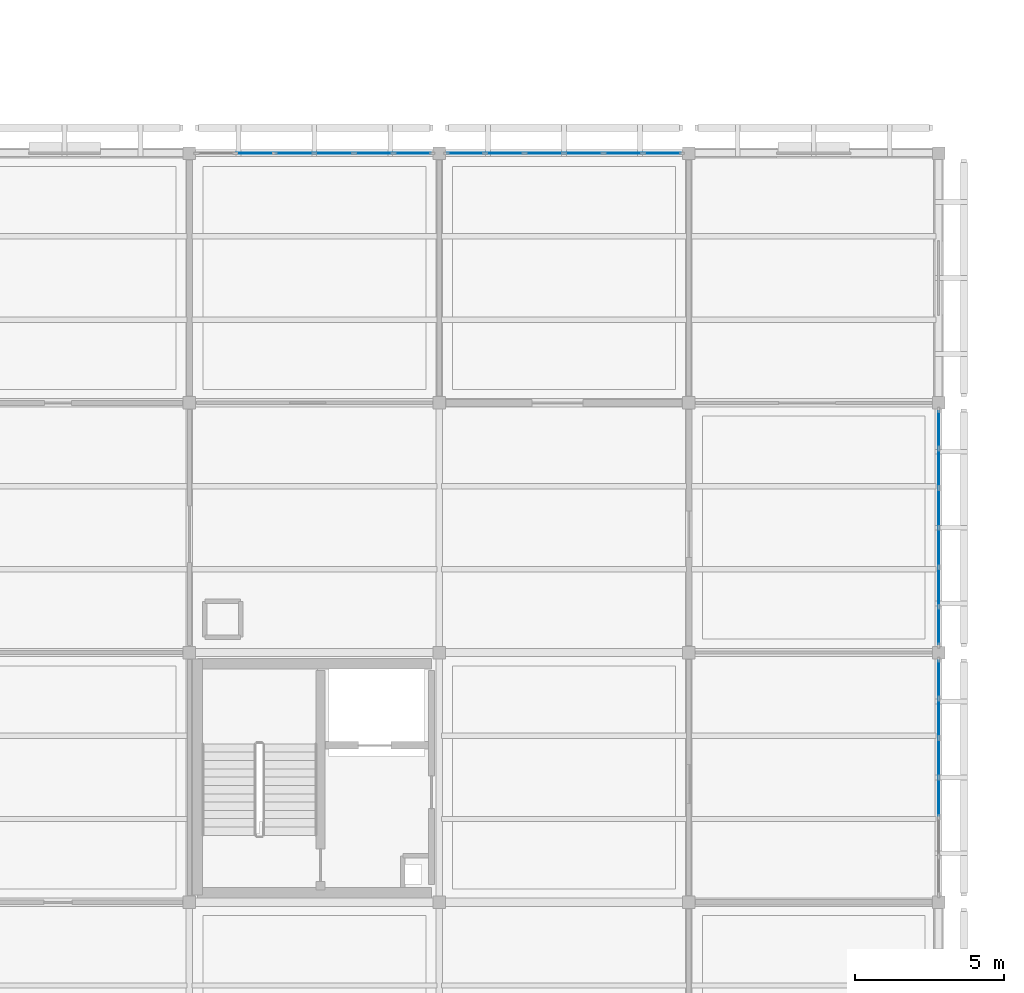
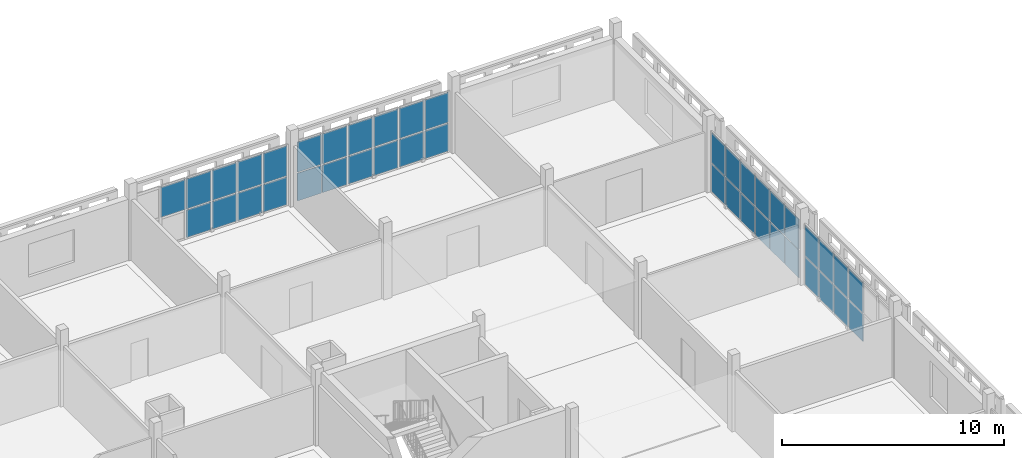
# One storey, part 93 of 166: 41 plates, 4 elements without a shape of their own.
"""IFC4 building model written with IfcOpenShell, lengths in metres."""

from ifc_helpers import new_model, si_unit, direction, frame, origin, origin_2d, place, context, subcontext, project, spatial, rectangle, extrude, material, layer, layer_set, type_object, element, aggregate, save


model = new_model("IFC4")

# Units and contexts
model_context = context("Model", 3, precision=1e-05, world=origin(), true_north=direction((0.0, 1.0)))
body_context = subcontext(model_context, "Body", "Model", "MODEL_VIEW")
ifc_project = project(units=[si_unit("LENGTHUNIT", "METRE"), si_unit("AREAUNIT", "SQUARE_METRE"), si_unit("VOLUMEUNIT", "CUBIC_METRE"), si_unit("PLANEANGLEUNIT", "RADIAN"), si_unit("MASSUNIT", "GRAM", prefix="KILO")], contexts=[model_context])

# Site, building, storey
site_placement = place(None, origin())
site = spatial("IfcSite", under=ifc_project, at=site_placement, CompositionType="ELEMENT")
building_placement = place(site_placement, origin())
building = spatial("IfcBuilding", under=site, at=building_placement, Name="Varnapada Polytechnic", CompositionType="ELEMENT")
storey_placement = place(building_placement, frame((0.0, 0.0, 9.60009765625)))
storey = spatial("IfcBuildingStorey", under=building, at=storey_placement, Name="L02", CompositionType="ELEMENT", Elevation=9.60009765625)

# Curtain wall, plates
ifc_material = material(Name="Double low-E laminated glass", Category="glass")
ifc_layer_1 = layer(ifc_material, 0.179931640625)
ifc_layer_set_1 = layer_set([ifc_layer_1], Name="Double low-E laminated glass")
curtain_wall_type = type_object("IfcCurtainWallType", Name="Curtain Wall CW-04", PredefinedType="NOTDEFINED", material=ifc_layer_set_1)
curtain_wall_1_placement = place(storey_placement, origin())
curtain_wall_1 = element("IfcCurtainWall", 1, at=curtain_wall_1_placement, inside=storey, type_object=curtain_wall_type, Name="L02 unitised curtain wall CW-04 (197)", PredefinedType="NOTDEFINED")
ifc_layer_2 = layer(ifc_material, 0.031982421875)
ifc_layer_set_2 = layer_set([ifc_layer_2], Name="Double low-E laminated glass")
plate_type = type_object("IfcPlateType", Name="Curtain Panel PNL-02", PredefinedType="CURTAIN_PANEL", material=ifc_layer_set_2)
plate_1_placement = place(storey_placement, frame((153.405029296875, 117.60009765625, 1.64501953125), z_axis=(0.0, 0.0, 1.0), x_axis=(1.0, 0.0, 0.0)))
plate_1 = element("IfcPlate", 2, at=plate_1_placement, type_object=plate_type, Name="CW-04 panel 2.2", PredefinedType="CURTAIN_PANEL", context=body_context, shape_type="SweptSolid", body=[
    extrude(rectangle(XDim=1.264892578125, YDim=0.031982421875, at=origin_2d()), origin(), (0.0, 0.0, 1.0), 1.649658203125),
])
plate_2_placement = place(storey_placement, frame((154.735107421875, 117.60009765625, 0.06494140625), z_axis=(0.0, 0.0, 1.0), x_axis=(1.0, 0.0, 0.0)))
plate_2 = element("IfcPlate", 3, at=plate_2_placement, type_object=plate_type, Name="CW-04 panel 3.1", PredefinedType="CURTAIN_PANEL", context=body_context, shape_type="SweptSolid", body=[
    extrude(rectangle(XDim=1.264892578125, YDim=0.031982421875, at=origin_2d()), origin(), (0.0, 0.0, 1.0), 1.515380859375),
])
plate_3_placement = place(storey_placement, frame((154.735107421875, 117.60009765625, 1.64501953125), z_axis=(0.0, 0.0, 1.0), x_axis=(1.0, 0.0, 0.0)))
plate_3 = element("IfcPlate", 4, at=plate_3_placement, type_object=plate_type, Name="CW-04 panel 3.2", PredefinedType="CURTAIN_PANEL", context=body_context, shape_type="SweptSolid", body=[
    extrude(rectangle(XDim=1.264892578125, YDim=0.031982421875, at=origin_2d()), origin(), (0.0, 0.0, 1.0), 1.649658203125),
])
plate_4_placement = place(storey_placement, frame((156.06494140625, 117.60009765625, 0.06494140625), z_axis=(0.0, 0.0, 1.0), x_axis=(1.0, 0.0, 0.0)))
plate_4 = element("IfcPlate", 5, at=plate_4_placement, type_object=plate_type, Name="CW-04 panel 4.1", PredefinedType="CURTAIN_PANEL", context=body_context, shape_type="SweptSolid", body=[
    extrude(rectangle(XDim=1.264892578125, YDim=0.031982421875, at=origin_2d()), origin(), (0.0, 0.0, 1.0), 1.515380859375),
])
plate_5_placement = place(storey_placement, frame((156.06494140625, 117.60009765625, 1.64501953125), z_axis=(0.0, 0.0, 1.0), x_axis=(1.0, 0.0, 0.0)))
plate_5 = element("IfcPlate", 6, at=plate_5_placement, type_object=plate_type, Name="CW-04 panel 4.2", PredefinedType="CURTAIN_PANEL", context=body_context, shape_type="SweptSolid", body=[
    extrude(rectangle(XDim=1.264892578125, YDim=0.031982421875, at=origin_2d()), origin(), (0.0, 0.0, 1.0), 1.649658203125),
])
plate_6_placement = place(storey_placement, frame((157.39501953125, 117.60009765625, 0.06494140625), z_axis=(0.0, 0.0, 1.0), x_axis=(1.0, 0.0, 0.0)))
plate_6 = element("IfcPlate", 7, at=plate_6_placement, type_object=plate_type, Name="CW-04 panel 5.1", PredefinedType="CURTAIN_PANEL", context=body_context, shape_type="SweptSolid", body=[
    extrude(rectangle(XDim=1.264892578125, YDim=0.031982421875, at=origin_2d()), origin(), (0.0, 0.0, 1.0), 1.515380859375),
])
plate_7_placement = place(storey_placement, frame((157.39501953125, 117.60009765625, 1.64501953125), z_axis=(0.0, 0.0, 1.0), x_axis=(1.0, 0.0, 0.0)))
plate_7 = element("IfcPlate", 8, at=plate_7_placement, type_object=plate_type, Name="CW-04 panel 5.2", PredefinedType="CURTAIN_PANEL", context=body_context, shape_type="SweptSolid", body=[
    extrude(rectangle(XDim=1.264892578125, YDim=0.031982421875, at=origin_2d()), origin(), (0.0, 0.0, 1.0), 1.649658203125),
])
plate_8_placement = place(storey_placement, frame((158.708740234375, 117.60009765625, 0.06494140625), z_axis=(0.0, 0.0, 1.0), x_axis=(1.0, 0.0, 0.0)))
plate_8 = element("IfcPlate", 9, at=plate_8_placement, type_object=plate_type, Name="CW-04 panel 6.1", PredefinedType="CURTAIN_PANEL", context=body_context, shape_type="SweptSolid", body=[
    extrude(rectangle(XDim=1.232421875, YDim=0.031982421875, at=origin_2d()), origin(), (0.0, 0.0, 1.0), 1.515380859375),
])
plate_9_placement = place(storey_placement, frame((158.708740234375, 117.60009765625, 1.64501953125), z_axis=(0.0, 0.0, 1.0), x_axis=(1.0, 0.0, 0.0)))
plate_9 = element("IfcPlate", 10, at=plate_9_placement, type_object=plate_type, Name="CW-04 panel 6.2", PredefinedType="CURTAIN_PANEL", context=body_context, shape_type="SweptSolid", body=[
    extrude(rectangle(XDim=1.232421875, YDim=0.031982421875, at=origin_2d()), origin(), (0.0, 0.0, 1.0), 1.649658203125),
])
aggregate(curtain_wall_1, [plate_1, plate_2, plate_3, plate_4, plate_5, plate_6, plate_7, plate_8, plate_9])

curtain_wall_2_placement = place(storey_placement, origin())
curtain_wall_2 = element("IfcCurtainWall", 11, at=curtain_wall_2_placement, inside=storey, type_object=curtain_wall_type, Name="L02 unitised curtain wall CW-04 (200)", PredefinedType="NOTDEFINED")
plate_10_placement = place(storey_placement, frame((160.4912109375, 117.60009765625, 0.06494140625), z_axis=(0.0, 0.0, 1.0), x_axis=(1.0, 0.0, 0.0)))
plate_10 = element("IfcPlate", 12, at=plate_10_placement, type_object=plate_type, Name="CW-04 panel 1.1", PredefinedType="CURTAIN_PANEL", context=body_context, shape_type="SweptSolid", body=[
    extrude(rectangle(XDim=1.232421875, YDim=0.031982421875, at=origin_2d()), origin(), (0.0, 0.0, 1.0), 1.515380859375),
])
plate_11_placement = place(storey_placement, frame((160.4912109375, 117.60009765625, 1.64501953125), z_axis=(0.0, 0.0, 1.0), x_axis=(1.0, 0.0, 0.0)))
plate_11 = element("IfcPlate", 13, at=plate_11_placement, type_object=plate_type, Name="CW-04 panel 1.2", PredefinedType="CURTAIN_PANEL", context=body_context, shape_type="SweptSolid", body=[
    extrude(rectangle(XDim=1.232421875, YDim=0.031982421875, at=origin_2d()), origin(), (0.0, 0.0, 1.0), 1.649658203125),
])
plate_12_placement = place(storey_placement, frame((161.804931640625, 117.60009765625, 0.06494140625), z_axis=(0.0, 0.0, 1.0), x_axis=(1.0, 0.0, 0.0)))
plate_12 = element("IfcPlate", 14, at=plate_12_placement, type_object=plate_type, Name="CW-04 panel 2.1", PredefinedType="CURTAIN_PANEL", context=body_context, shape_type="SweptSolid", body=[
    extrude(rectangle(XDim=1.264892578125, YDim=0.031982421875, at=origin_2d()), origin(), (0.0, 0.0, 1.0), 1.515380859375),
])
plate_13_placement = place(storey_placement, frame((161.804931640625, 117.60009765625, 1.64501953125), z_axis=(0.0, 0.0, 1.0), x_axis=(1.0, 0.0, 0.0)))
plate_13 = element("IfcPlate", 15, at=plate_13_placement, type_object=plate_type, Name="CW-04 panel 2.2", PredefinedType="CURTAIN_PANEL", context=body_context, shape_type="SweptSolid", body=[
    extrude(rectangle(XDim=1.264892578125, YDim=0.031982421875, at=origin_2d()), origin(), (0.0, 0.0, 1.0), 1.649658203125),
])
plate_14_placement = place(storey_placement, frame((163.135009765625, 117.60009765625, 0.06494140625), z_axis=(0.0, 0.0, 1.0), x_axis=(1.0, 0.0, 0.0)))
plate_14 = element("IfcPlate", 16, at=plate_14_placement, type_object=plate_type, Name="CW-04 panel 3.1", PredefinedType="CURTAIN_PANEL", context=body_context, shape_type="SweptSolid", body=[
    extrude(rectangle(XDim=1.264892578125, YDim=0.031982421875, at=origin_2d()), origin(), (0.0, 0.0, 1.0), 1.515380859375),
])
plate_15_placement = place(storey_placement, frame((163.135009765625, 117.60009765625, 1.64501953125), z_axis=(0.0, 0.0, 1.0), x_axis=(1.0, 0.0, 0.0)))
plate_15 = element("IfcPlate", 17, at=plate_15_placement, type_object=plate_type, Name="CW-04 panel 3.2", PredefinedType="CURTAIN_PANEL", context=body_context, shape_type="SweptSolid", body=[
    extrude(rectangle(XDim=1.264892578125, YDim=0.031982421875, at=origin_2d()), origin(), (0.0, 0.0, 1.0), 1.649658203125),
])
plate_16_placement = place(storey_placement, frame((164.465087890625, 117.60009765625, 0.06494140625), z_axis=(0.0, 0.0, 1.0), x_axis=(1.0, 0.0, 0.0)))
plate_16 = element("IfcPlate", 18, at=plate_16_placement, type_object=plate_type, Name="CW-04 panel 4.1", PredefinedType="CURTAIN_PANEL", context=body_context, shape_type="SweptSolid", body=[
    extrude(rectangle(XDim=1.264892578125, YDim=0.031982421875, at=origin_2d()), origin(), (0.0, 0.0, 1.0), 1.515380859375),
])
plate_17_placement = place(storey_placement, frame((164.465087890625, 117.60009765625, 1.64501953125), z_axis=(0.0, 0.0, 1.0), x_axis=(1.0, 0.0, 0.0)))
plate_17 = element("IfcPlate", 19, at=plate_17_placement, type_object=plate_type, Name="CW-04 panel 4.2", PredefinedType="CURTAIN_PANEL", context=body_context, shape_type="SweptSolid", body=[
    extrude(rectangle(XDim=1.264892578125, YDim=0.031982421875, at=origin_2d()), origin(), (0.0, 0.0, 1.0), 1.649658203125),
])
plate_18_placement = place(storey_placement, frame((165.794921875, 117.60009765625, 0.06494140625), z_axis=(0.0, 0.0, 1.0), x_axis=(1.0, 0.0, 0.0)))
plate_18 = element("IfcPlate", 20, at=plate_18_placement, type_object=plate_type, Name="CW-04 panel 5.1", PredefinedType="CURTAIN_PANEL", context=body_context, shape_type="SweptSolid", body=[
    extrude(rectangle(XDim=1.264892578125, YDim=0.031982421875, at=origin_2d()), origin(), (0.0, 0.0, 1.0), 1.515380859375),
])
plate_19_placement = place(storey_placement, frame((165.794921875, 117.60009765625, 1.64501953125), z_axis=(0.0, 0.0, 1.0), x_axis=(1.0, 0.0, 0.0)))
plate_19 = element("IfcPlate", 21, at=plate_19_placement, type_object=plate_type, Name="CW-04 panel 5.2", PredefinedType="CURTAIN_PANEL", context=body_context, shape_type="SweptSolid", body=[
    extrude(rectangle(XDim=1.264892578125, YDim=0.031982421875, at=origin_2d()), origin(), (0.0, 0.0, 1.0), 1.649658203125),
])
plate_20_placement = place(storey_placement, frame((167.108642578125, 117.60009765625, 0.06494140625), z_axis=(0.0, 0.0, 1.0), x_axis=(1.0, 0.0, 0.0)))
plate_20 = element("IfcPlate", 22, at=plate_20_placement, type_object=plate_type, Name="CW-04 panel 6.1", PredefinedType="CURTAIN_PANEL", context=body_context, shape_type="SweptSolid", body=[
    extrude(rectangle(XDim=1.232421875, YDim=0.031982421875, at=origin_2d()), origin(), (0.0, 0.0, 1.0), 1.515380859375),
])
plate_21_placement = place(storey_placement, frame((167.108642578125, 117.60009765625, 1.64501953125), z_axis=(0.0, 0.0, 1.0), x_axis=(1.0, 0.0, 0.0)))
plate_21 = element("IfcPlate", 23, at=plate_21_placement, type_object=plate_type, Name="CW-04 panel 6.2", PredefinedType="CURTAIN_PANEL", context=body_context, shape_type="SweptSolid", body=[
    extrude(rectangle(XDim=1.232421875, YDim=0.031982421875, at=origin_2d()), origin(), (0.0, 0.0, 1.0), 1.649658203125),
])
aggregate(curtain_wall_2, [plate_10, plate_11, plate_12, plate_13, plate_14, plate_15, plate_16, plate_17, plate_18, plate_19, plate_20, plate_21])

curtain_wall_3_placement = place(storey_placement, origin())
curtain_wall_3 = element("IfcCurtainWall", 24, at=curtain_wall_3_placement, inside=storey, type_object=curtain_wall_type, Name="L02 unitised curtain wall CW-04 (203)", PredefinedType="NOTDEFINED")
plate_22_placement = place(storey_placement, frame((176.39990234375, 99.90869140625, 0.06494140625), z_axis=(0.0, 0.0, 1.0), x_axis=(0.0, -1.0, 0.0)))
plate_22 = element("IfcPlate", 25, at=plate_22_placement, type_object=plate_type, Name="CW-04 panel 1.1", PredefinedType="CURTAIN_PANEL", context=body_context, shape_type="SweptSolid", body=[
    extrude(rectangle(XDim=1.232421875, YDim=0.031982421875, at=origin_2d()), origin(), (0.0, 0.0, 1.0), 1.515380859375),
])
plate_23_placement = place(storey_placement, frame((176.39990234375, 99.90869140625, 1.64501953125), z_axis=(0.0, 0.0, 1.0), x_axis=(0.0, -1.0, 0.0)))
plate_23 = element("IfcPlate", 26, at=plate_23_placement, type_object=plate_type, Name="CW-04 panel 1.2", PredefinedType="CURTAIN_PANEL", context=body_context, shape_type="SweptSolid", body=[
    extrude(rectangle(XDim=1.232421875, YDim=0.031982421875, at=origin_2d()), origin(), (0.0, 0.0, 1.0), 1.649658203125),
])
plate_24_placement = place(storey_placement, frame((176.39990234375, 98.594970703125, 0.06494140625), z_axis=(0.0, 0.0, 1.0), x_axis=(0.0, -1.0, 0.0)))
plate_24 = element("IfcPlate", 27, at=plate_24_placement, type_object=plate_type, Name="CW-04 panel 2.1", PredefinedType="CURTAIN_PANEL", context=body_context, shape_type="SweptSolid", body=[
    extrude(rectangle(XDim=1.264892578125, YDim=0.031982421875, at=origin_2d()), origin(), (0.0, 0.0, 1.0), 1.515380859375),
])
plate_25_placement = place(storey_placement, frame((176.39990234375, 98.594970703125, 1.64501953125), z_axis=(0.0, 0.0, 1.0), x_axis=(0.0, -1.0, 0.0)))
plate_25 = element("IfcPlate", 28, at=plate_25_placement, type_object=plate_type, Name="CW-04 panel 2.2", PredefinedType="CURTAIN_PANEL", context=body_context, shape_type="SweptSolid", body=[
    extrude(rectangle(XDim=1.264892578125, YDim=0.031982421875, at=origin_2d()), origin(), (0.0, 0.0, 1.0), 1.649658203125),
])
plate_26_placement = place(storey_placement, frame((176.39990234375, 97.264892578125, 0.06494140625), z_axis=(0.0, 0.0, 1.0), x_axis=(0.0, -1.0, 0.0)))
plate_26 = element("IfcPlate", 29, at=plate_26_placement, type_object=plate_type, Name="CW-04 panel 3.1", PredefinedType="CURTAIN_PANEL", context=body_context, shape_type="SweptSolid", body=[
    extrude(rectangle(XDim=1.264892578125, YDim=0.031982421875, at=origin_2d()), origin(), (0.0, 0.0, 1.0), 1.515380859375),
])
plate_27_placement = place(storey_placement, frame((176.39990234375, 97.264892578125, 1.64501953125), z_axis=(0.0, 0.0, 1.0), x_axis=(0.0, -1.0, 0.0)))
plate_27 = element("IfcPlate", 30, at=plate_27_placement, type_object=plate_type, Name="CW-04 panel 3.2", PredefinedType="CURTAIN_PANEL", context=body_context, shape_type="SweptSolid", body=[
    extrude(rectangle(XDim=1.264892578125, YDim=0.031982421875, at=origin_2d()), origin(), (0.0, 0.0, 1.0), 1.649658203125),
])
plate_28_placement = place(storey_placement, frame((176.39990234375, 95.93505859375, 0.06494140625), z_axis=(0.0, 0.0, 1.0), x_axis=(0.0, -1.0, 0.0)))
plate_28 = element("IfcPlate", 31, at=plate_28_placement, type_object=plate_type, Name="CW-04 panel 4.1", PredefinedType="CURTAIN_PANEL", context=body_context, shape_type="SweptSolid", body=[
    extrude(rectangle(XDim=1.264892578125, YDim=0.031982421875, at=origin_2d()), origin(), (0.0, 0.0, 1.0), 1.515380859375),
])
plate_29_placement = place(storey_placement, frame((176.39990234375, 95.93505859375, 1.64501953125), z_axis=(0.0, 0.0, 1.0), x_axis=(0.0, -1.0, 0.0)))
plate_29 = element("IfcPlate", 32, at=plate_29_placement, type_object=plate_type, Name="CW-04 panel 4.2", PredefinedType="CURTAIN_PANEL", context=body_context, shape_type="SweptSolid", body=[
    extrude(rectangle(XDim=1.264892578125, YDim=0.031982421875, at=origin_2d()), origin(), (0.0, 0.0, 1.0), 1.649658203125),
])
aggregate(curtain_wall_3, [plate_22, plate_23, plate_24, plate_25, plate_26, plate_27, plate_28, plate_29])

curtain_wall_4_placement = place(storey_placement, origin())
curtain_wall_4 = element("IfcCurtainWall", 33, at=curtain_wall_4_placement, inside=storey, type_object=curtain_wall_type, Name="L02 unitised curtain wall CW-04 (204)", PredefinedType="NOTDEFINED")
plate_30_placement = place(storey_placement, frame((176.39990234375, 108.308837890625, 0.06494140625), z_axis=(0.0, 0.0, 1.0), x_axis=(0.0, -1.0, 0.0)))
plate_30 = element("IfcPlate", 34, at=plate_30_placement, type_object=plate_type, Name="CW-04 panel 1.1", PredefinedType="CURTAIN_PANEL", context=body_context, shape_type="SweptSolid", body=[
    extrude(rectangle(XDim=1.232421875, YDim=0.031982421875, at=origin_2d()), origin(), (0.0, 0.0, 1.0), 1.515380859375),
])
plate_31_placement = place(storey_placement, frame((176.39990234375, 108.308837890625, 1.64501953125), z_axis=(0.0, 0.0, 1.0), x_axis=(0.0, -1.0, 0.0)))
plate_31 = element("IfcPlate", 35, at=plate_31_placement, type_object=plate_type, Name="CW-04 panel 1.2", PredefinedType="CURTAIN_PANEL", context=body_context, shape_type="SweptSolid", body=[
    extrude(rectangle(XDim=1.232421875, YDim=0.031982421875, at=origin_2d()), origin(), (0.0, 0.0, 1.0), 1.649658203125),
])
plate_32_placement = place(storey_placement, frame((176.39990234375, 106.9951171875, 0.06494140625), z_axis=(0.0, 0.0, 1.0), x_axis=(0.0, -1.0, 0.0)))
plate_32 = element("IfcPlate", 36, at=plate_32_placement, type_object=plate_type, Name="CW-04 panel 2.1", PredefinedType="CURTAIN_PANEL", context=body_context, shape_type="SweptSolid", body=[
    extrude(rectangle(XDim=1.264892578125, YDim=0.031982421875, at=origin_2d()), origin(), (0.0, 0.0, 1.0), 1.515380859375),
])
plate_33_placement = place(storey_placement, frame((176.39990234375, 106.9951171875, 1.64501953125), z_axis=(0.0, 0.0, 1.0), x_axis=(0.0, -1.0, 0.0)))
plate_33 = element("IfcPlate", 37, at=plate_33_placement, type_object=plate_type, Name="CW-04 panel 2.2", PredefinedType="CURTAIN_PANEL", context=body_context, shape_type="SweptSolid", body=[
    extrude(rectangle(XDim=1.264892578125, YDim=0.031982421875, at=origin_2d()), origin(), (0.0, 0.0, 1.0), 1.649658203125),
])
plate_34_placement = place(storey_placement, frame((176.39990234375, 105.6650390625, 0.06494140625), z_axis=(0.0, 0.0, 1.0), x_axis=(0.0, -1.0, 0.0)))
plate_34 = element("IfcPlate", 38, at=plate_34_placement, type_object=plate_type, Name="CW-04 panel 3.1", PredefinedType="CURTAIN_PANEL", context=body_context, shape_type="SweptSolid", body=[
    extrude(rectangle(XDim=1.264892578125, YDim=0.031982421875, at=origin_2d()), origin(), (0.0, 0.0, 1.0), 1.515380859375),
])
plate_35_placement = place(storey_placement, frame((176.39990234375, 105.6650390625, 1.64501953125), z_axis=(0.0, 0.0, 1.0), x_axis=(0.0, -1.0, 0.0)))
plate_35 = element("IfcPlate", 39, at=plate_35_placement, type_object=plate_type, Name="CW-04 panel 3.2", PredefinedType="CURTAIN_PANEL", context=body_context, shape_type="SweptSolid", body=[
    extrude(rectangle(XDim=1.264892578125, YDim=0.031982421875, at=origin_2d()), origin(), (0.0, 0.0, 1.0), 1.649658203125),
])
plate_36_placement = place(storey_placement, frame((176.39990234375, 104.3349609375, 0.06494140625), z_axis=(0.0, 0.0, 1.0), x_axis=(0.0, -1.0, 0.0)))
plate_36 = element("IfcPlate", 40, at=plate_36_placement, type_object=plate_type, Name="CW-04 panel 4.1", PredefinedType="CURTAIN_PANEL", context=body_context, shape_type="SweptSolid", body=[
    extrude(rectangle(XDim=1.264892578125, YDim=0.031982421875, at=origin_2d()), origin(), (0.0, 0.0, 1.0), 1.515380859375),
])
plate_37_placement = place(storey_placement, frame((176.39990234375, 104.3349609375, 1.64501953125), z_axis=(0.0, 0.0, 1.0), x_axis=(0.0, -1.0, 0.0)))
plate_37 = element("IfcPlate", 41, at=plate_37_placement, type_object=plate_type, Name="CW-04 panel 4.2", PredefinedType="CURTAIN_PANEL", context=body_context, shape_type="SweptSolid", body=[
    extrude(rectangle(XDim=1.264892578125, YDim=0.031982421875, at=origin_2d()), origin(), (0.0, 0.0, 1.0), 1.649658203125),
])
plate_38_placement = place(storey_placement, frame((176.39990234375, 103.0048828125, 0.06494140625), z_axis=(0.0, 0.0, 1.0), x_axis=(0.0, -1.0, 0.0)))
plate_38 = element("IfcPlate", 42, at=plate_38_placement, type_object=plate_type, Name="CW-04 panel 5.1", PredefinedType="CURTAIN_PANEL", context=body_context, shape_type="SweptSolid", body=[
    extrude(rectangle(XDim=1.264892578125, YDim=0.031982421875, at=origin_2d()), origin(), (0.0, 0.0, 1.0), 1.515380859375),
])
plate_39_placement = place(storey_placement, frame((176.39990234375, 103.0048828125, 1.64501953125), z_axis=(0.0, 0.0, 1.0), x_axis=(0.0, -1.0, 0.0)))
plate_39 = element("IfcPlate", 43, at=plate_39_placement, type_object=plate_type, Name="CW-04 panel 5.2", PredefinedType="CURTAIN_PANEL", context=body_context, shape_type="SweptSolid", body=[
    extrude(rectangle(XDim=1.264892578125, YDim=0.031982421875, at=origin_2d()), origin(), (0.0, 0.0, 1.0), 1.649658203125),
])
plate_40_placement = place(storey_placement, frame((176.39990234375, 101.691162109375, 0.06494140625), z_axis=(0.0, 0.0, 1.0), x_axis=(0.0, -1.0, 0.0)))
plate_40 = element("IfcPlate", 44, at=plate_40_placement, type_object=plate_type, Name="CW-04 panel 6.1", PredefinedType="CURTAIN_PANEL", context=body_context, shape_type="SweptSolid", body=[
    extrude(rectangle(XDim=1.232421875, YDim=0.031982421875, at=origin_2d()), origin(), (0.0, 0.0, 1.0), 1.515380859375),
])
plate_41_placement = place(storey_placement, frame((176.39990234375, 101.691162109375, 1.64501953125), z_axis=(0.0, 0.0, 1.0), x_axis=(0.0, -1.0, 0.0)))
plate_41 = element("IfcPlate", 45, at=plate_41_placement, type_object=plate_type, Name="CW-04 panel 6.2", PredefinedType="CURTAIN_PANEL", context=body_context, shape_type="SweptSolid", body=[
    extrude(rectangle(XDim=1.232421875, YDim=0.031982421875, at=origin_2d()), origin(), (0.0, 0.0, 1.0), 1.649658203125),
])
aggregate(curtain_wall_4, [plate_30, plate_31, plate_32, plate_33, plate_34, plate_35, plate_36, plate_37, plate_38, plate_39, plate_40, plate_41])

save(model, "model.ifc")
